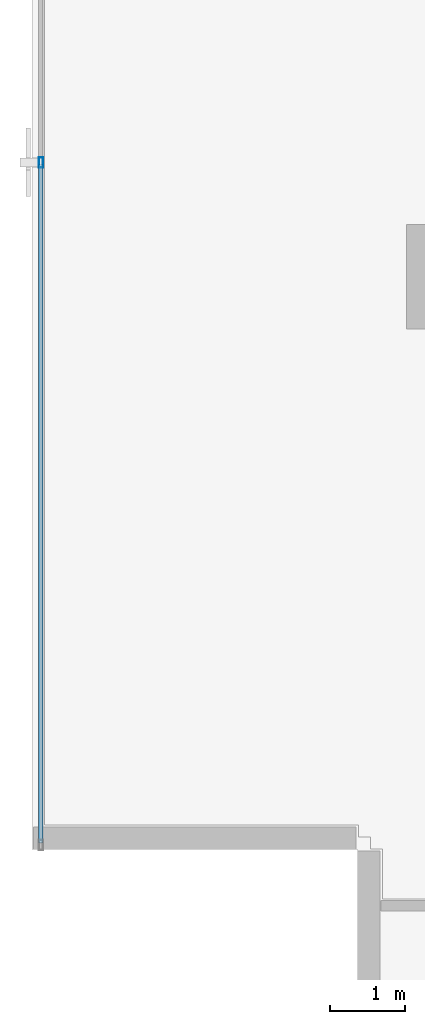
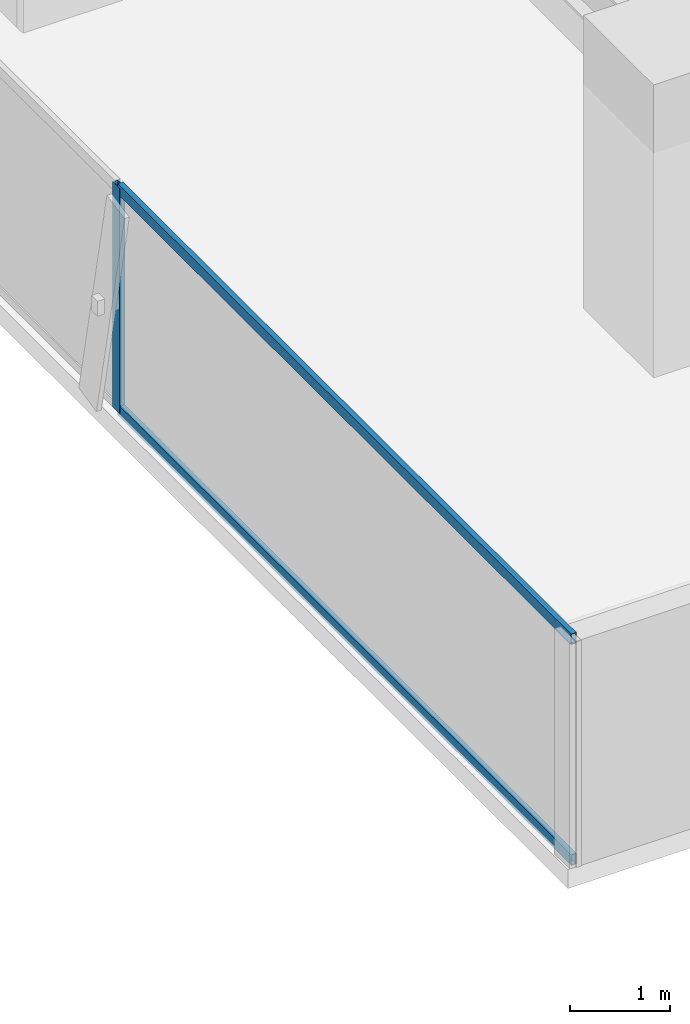
# One storey, part 4 of 25: 3 members, 1 element without a shape of its own.
"""IFC4 building model written with IfcOpenShell, lengths in metres."""

from ifc_helpers import new_model, si_unit, direction, frame, origin, origin_2d, place, context, subcontext, project, spatial, hollow_rectangle, extrude, source, transform, mapped, material, layer, layer_set, material_profile, profile_set, type_object, element, aggregate, save


model = new_model("IFC4")

# Units and contexts
model_context = context("Model", 3, precision=1e-05, world=origin(), true_north=direction((0.0, 1.0)))
body_context = subcontext(model_context, "Body", "Model", "MODEL_VIEW")
ifc_project = project(units=[si_unit("LENGTHUNIT", "METRE"), si_unit("AREAUNIT", "SQUARE_METRE"), si_unit("VOLUMEUNIT", "CUBIC_METRE"), si_unit("PLANEANGLEUNIT", "RADIAN"), si_unit("MASSUNIT", "GRAM", prefix="KILO")], contexts=[model_context])

# Site, building, storey
site_placement = place(None, origin())
site = spatial("IfcSite", under=ifc_project, at=site_placement, CompositionType="ELEMENT")
building_placement = place(site_placement, origin())
building = spatial("IfcBuilding", under=site, at=building_placement, Name="Sumidabori Civic Tower", CompositionType="ELEMENT")
storey_placement = place(building_placement, frame((0.0, 0.0, 239.60009765625)))
storey = spatial("IfcBuildingStorey", under=building, at=storey_placement, Name="L62", CompositionType="ELEMENT", Elevation=239.60009765625)

# Curtain wall, members
ifc_material = material(Name="Anodised Bronze Aluminium AW-6063-T6", Category="aluminium")
ifc_layer = layer(ifc_material, 0.179931640625, Name="Anodised Bronze Aluminium AW-6063-T6")
ifc_layer_set = layer_set([ifc_layer], Name="Anodised Bronze Aluminium AW-6063-T6")
curtain_wall_type = type_object("IfcCurtainWallType", Name="CW-SYS-5", PredefinedType="NOTDEFINED", material=ifc_layer_set)
curtain_wall_placement = place(storey_placement, origin())
curtain_wall = element("IfcCurtainWall", 1, at=curtain_wall_placement, inside=storey, type_object=curtain_wall_type, Name="Curtain Wall CW:L62:R10", PredefinedType="NOTDEFINED")
ifc_material_profile_1 = material_profile(ifc_material, hollow_rectangle(XDim=0.06005859375, YDim=0.139892578125, WallThickness=0.0048828125, at=origin_2d()), Name="ALU MULLION 140x60")
ifc_profile_set_1 = profile_set([ifc_material_profile_1], Name="Anodised Bronze Aluminium AW-6063-T6")
member_type_1 = type_object("IfcMemberType", Name="CW-MUL-140", PredefinedType="MULLION", material=ifc_profile_set_1)
shared_shape_1 = source(origin(), body_context, "Body", "SweptSolid", [
    extrude(hollow_rectangle(XDim=0.06005859375, YDim=0.139892578125, WallThickness=0.0048828125, at=origin_2d()), origin(), (0.0, 0.0, 1.0), 2.75),
])
member_1_placement = place(storey_placement, frame((-22.3798828125, 1.526611328125, 0.0), z_axis=(0.0, 0.0, 1.0), x_axis=(1.0, 0.0, 0.0)))
member_1 = element("IfcMember", 2, at=member_1_placement, type_object=member_type_1, Name="CW-5 mullion 3", PredefinedType="MULLION", context=body_context, shape_type="MappedRepresentation", body=[
    mapped(shared_shape_1, transform((0.0, 0.0, 0.0), x_axis=(1.0, 0.0, 0.0), y_axis=(0.0, 1.0, 0.0), z_axis=(0.0, 0.0, 1.0), scale=1.0)),
])
ifc_material_profile_2 = material_profile(ifc_material, hollow_rectangle(XDim=0.06005859375, YDim=0.1298828125, WallThickness=0.0048828125, at=origin_2d()), Name="ALU TRANSOM 130x60")
ifc_profile_set_2 = profile_set([ifc_material_profile_2], Name="Anodised Bronze Aluminium AW-6063-T6")
member_type_2 = type_object("IfcMemberType", Name="CW-TRN-130", PredefinedType="USERDEFINED", material=ifc_profile_set_2)
shared_shape_2 = source(origin(), body_context, "Body", "SweptSolid", [
    extrude(hollow_rectangle(XDim=0.06005859375, YDim=0.1298828125, WallThickness=0.0048828125, at=origin_2d()), origin(), (0.0, 0.0, 1.0), 9.056640625),
])
member_2_placement = place(storey_placement, frame((-22.3798828125, 1.49658203125, 0.02978515625), z_axis=(0.0, -1.0, 0.0), x_axis=(1.0, 0.0, 0.0)))
member_2 = element("IfcMember", 3, at=member_2_placement, type_object=member_type_2, Name="CW-5 transom 3.1", ObjectType="TRANSOM", PredefinedType="USERDEFINED", context=body_context, shape_type="MappedRepresentation", body=[
    mapped(shared_shape_2, transform((0.0, 0.0, 0.0), x_axis=(1.0, 0.0, 0.0), y_axis=(0.0, 1.0, 0.0), z_axis=(0.0, 0.0, 1.0), scale=1.0)),
])
member_3_placement = place(storey_placement, frame((-22.3798828125, 1.49658203125, 2.719970703125), z_axis=(0.0, -1.0, 0.0), x_axis=(1.0, 0.0, 0.0)))
member_3 = element("IfcMember", 4, at=member_3_placement, type_object=member_type_2, Name="CW-5 transom 3.2", ObjectType="TRANSOM", PredefinedType="USERDEFINED", context=body_context, shape_type="MappedRepresentation", body=[
    mapped(shared_shape_2, transform((0.0, 0.0, 0.0), x_axis=(1.0, 0.0, 0.0), y_axis=(0.0, 1.0, 0.0), z_axis=(0.0, 0.0, 1.0), scale=1.0)),
])
aggregate(curtain_wall, [member_1, member_2, member_3])

save(model, "model.ifc")
